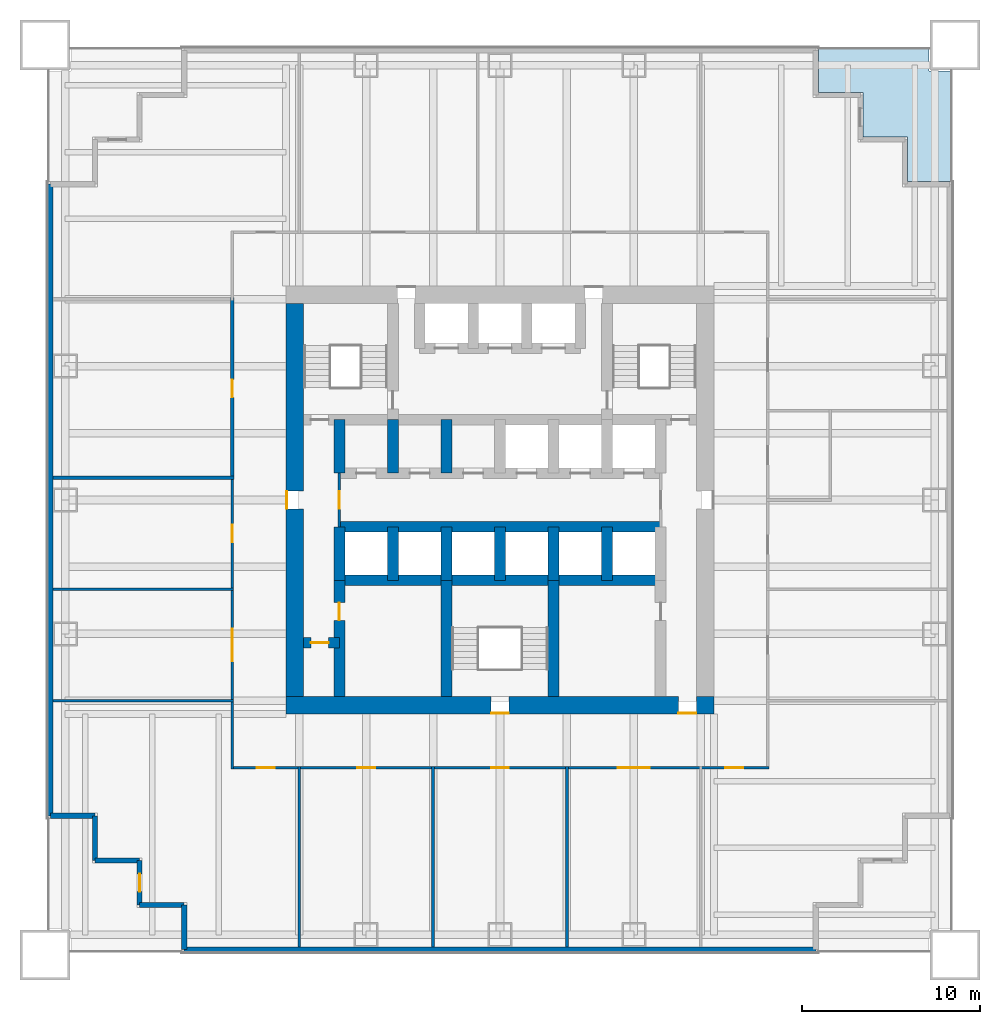
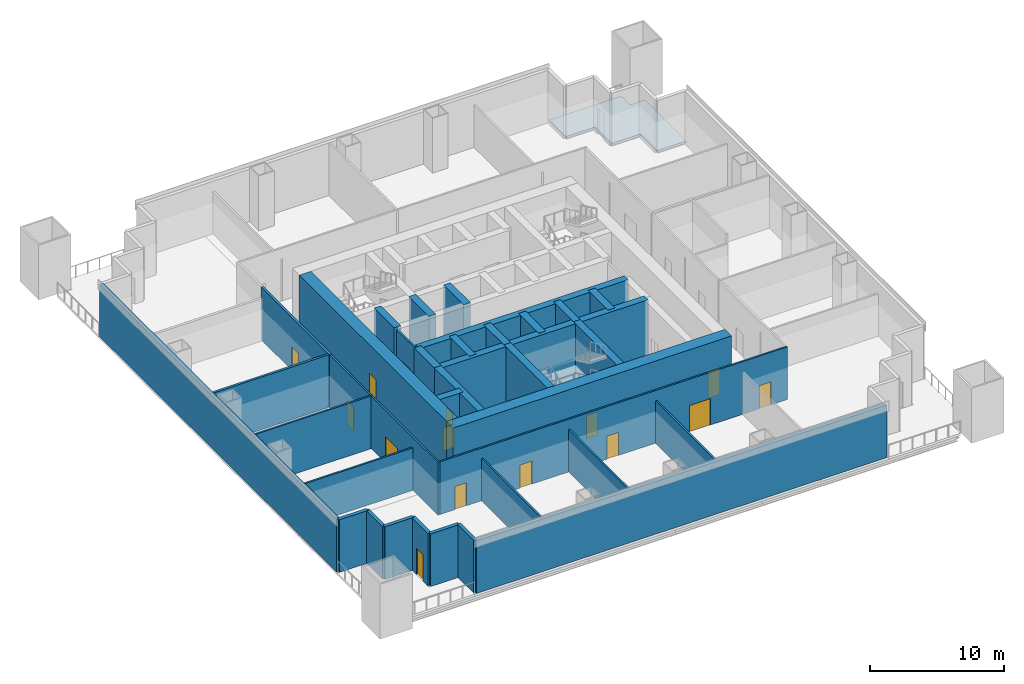
# One storey, part 2 of 6: 35 walls, 15 doors, 1 slab, 15 openings.
"""IFC4 building model written with IfcOpenShell, lengths in metres."""

from ifc_helpers import new_model, si_unit, direction, frame, frame_2d, origin, place, context, subcontext, project, spatial, polyline, rectangle, outline, extrude, material, layer, layer_set, type_object, element, fill, save


model = new_model("IFC4")

# Units and contexts
model_context = context("Model", 3, precision=1e-05, world=origin(), true_north=direction((0.0, 1.0)))
body_context = subcontext(model_context, "Body", "Model", "MODEL_VIEW")
ifc_project = project(units=[si_unit("LENGTHUNIT", "METRE"), si_unit("AREAUNIT", "SQUARE_METRE"), si_unit("VOLUMEUNIT", "CUBIC_METRE"), si_unit("PLANEANGLEUNIT", "RADIAN"), si_unit("MASSUNIT", "GRAM", prefix="KILO")], contexts=[model_context])

# Site, building, storey
site_placement = place(None, origin())
site = spatial("IfcSite", under=ifc_project, at=site_placement, CompositionType="ELEMENT")
building_placement = place(site_placement, origin())
building = spatial("IfcBuilding", under=site, at=building_placement, Name="Tarangal Relay Tower", CompositionType="ELEMENT")
storey_placement = place(building_placement, frame((0.0, 0.0, 88.39990234375)))
storey = spatial("IfcBuildingStorey", under=building, at=storey_placement, Name="L17", CompositionType="ELEMENT", Elevation=88.39990234375)

# Slab
ifc_material_1 = material(Name="Concrete fc' 35 MPa", Category="concrete")
ifc_layer_1 = layer(ifc_material_1, 0.199951171875)
ifc_layer_set_1 = layer_set([ifc_layer_1], Name="Terrace slab 200")
slab_type = type_object("IfcSlabType", Name="Terrace slab 200", PredefinedType="FLOOR", material=ifc_layer_set_1)
slab_placement = place(storey_placement, frame((0.0, 0.0, -0.199951171875)))
element("IfcSlab", 1, at=slab_placement, inside=storey, type_object=slab_type, Name="Corner terrace NE L17", PredefinedType="FLOOR", context=body_context, shape_type="SweptSolid", body=[
    extrude(outline(polyline([(17.85009765625, 25.35009765625), (17.85009765625, 22.85009765625), (20.35009765625, 22.85009765625), (20.35009765625, 20.35009765625), (22.85009765625, 20.35009765625), (22.85009765625, 17.85009765625), (25.35009765625, 17.85009765625), (25.35009765625, 24.050048828125), (24.050048828125, 24.050048828125), (24.050048828125, 25.35009765625), (17.85009765625, 25.35009765625)])), origin(), (0.0, 0.0, 1.0), 0.199951171875),
])

# Wall
ifc_material_2 = material(Name="Two layers gypsum board each side on twin steel studs, mineral wool", Category="steel")
ifc_layer_2 = layer(ifc_material_2, 0.199951171875)
ifc_layer_set_2 = layer_set([ifc_layer_2], Name="Acoustic partition 200")
wall_type_1 = type_object("IfcWallType", Name="Acoustic partition 200", PredefinedType="PARTITIONING", material=ifc_layer_set_2)
wall_1_placement = place(storey_placement, frame((-25.050048828125, 1.25, 0.0), z_axis=(0.0, 0.0, 1.0), x_axis=(1.0, 0.0, 0.0)))
element("IfcWall", 2, at=wall_1_placement, inside=storey, type_object=wall_type_1, Name="Partition PT2 L17", PredefinedType="PARTITIONING", context=body_context, shape_type="SweptSolid", body=[
    extrude(rectangle(XDim=10.150146484375, YDim=0.199951171875, at=frame_2d((5.0751953125, 0.0))), origin(), (0.0, 0.0, 1.0), 4.800048828125),
])

# Wall, opening, door
wall_2_placement = place(storey_placement, frame((-15.0, 1.14990234375, 0.0), z_axis=(0.0, 0.0, 1.0), x_axis=(0.0, 1.0, 0.0)))
wall_2 = element("IfcWall", 3, at=wall_2_placement, inside=storey, type_object=wall_type_1, Name="Partition PT2 L17", PredefinedType="PARTITIONING", context=body_context, shape_type="SweptSolid", body=[
    extrude(rectangle(XDim=10.2001953125, YDim=0.199951171875, at=frame_2d((5.10009765625, 0.0))), origin(), (0.0, 0.0, 1.0), 4.800048828125),
])
opening_1_placement = place(wall_2_placement, frame((4.60009765625, 0.0, 0.0)))
opening_1 = element("IfcOpeningElement", 4, at=opening_1_placement, cuts=wall_2, Name="Opening D2", PredefinedType="OPENING", context=body_context, shape_type="SweptSolid", body=[
    extrude(rectangle(XDim=1.0, YDim=2.10009765625, at=frame_2d((0.5, 1.050048828125))), frame((0.0, 0.10986328125, 0.0), z_axis=(0.0, -1.0, 0.0), x_axis=(1.0, 0.0, 0.0)), (0.0, 0.0, 1.0), 0.219970703125),
])
ifc_material_3 = material(Name="Hardwood door", Category="wood")
door_type_1 = type_object("IfcDoorType", Name="Door 1000 x 2100", OperationType="SINGLE_SWING_LEFT", PredefinedType="DOOR", material=ifc_material_3)
door_1_placement = place(opening_1_placement, origin())
door_1 = element("IfcDoor", 5, at=door_1_placement, inside=storey, type_object=door_type_1, Name="Door D2 to quiet room L17-13", OperationType="SINGLE_SWING_LEFT", OverallHeight=2.10009765625, OverallWidth=1.0, PredefinedType="DOOR", context=body_context, shape_type="SweptSolid", body=[
    extrude(rectangle(XDim=1.0, YDim=2.10009765625, at=frame_2d((0.5, 1.050048828125))), frame((0.0, 0.02490234375, 0.0), z_axis=(0.0, -1.0, 0.0), x_axis=(1.0, 0.0, 0.0)), (0.0, 0.0, 1.0), 0.050048828125),
])
fill(opening_1, door_1)

# Walls
ifc_material_4 = material(Name="Concrete fc' 60 MPa", Category="concrete")
ifc_layer_3 = layer(ifc_material_4, 0.60009765625)
ifc_layer_set_3 = layer_set([ifc_layer_3], Name="Core inner wall 600")
wall_type_2 = type_object("IfcWallType", Name="Core inner wall 600", PredefinedType="SHEAR", material=ifc_layer_set_3)
for number, where, z_axis, x_axis, name in (
    (6, (-9.0, -1.5, 0.0), (0.0, 0.0, 1.0), (1.0, 0.0, 0.0), "Core wall YM15 L17"),
    (7, (-9.0, -4.5, 0.0), (0.0, 0.0, 1.0), (1.0, 0.0, 0.0), "Core wall YM45 L17"),
):
    element("IfcWall", number, at=place(storey_placement, frame(where, z_axis=z_axis, x_axis=x_axis)), inside=storey, type_object=wall_type_2, Name=name, PredefinedType="SHEAR", context=body_context, shape_type="SweptSolid", body=[
        extrude(rectangle(XDim=18.0, YDim=0.60009765625, at=frame_2d((9.0, 0.0))), origin(), (0.0, 0.0, 1.0), 5.0),
    ])

# Wall, opening, door
wall_3_placement = place(storey_placement, frame((-11.0, -8.0, 0.0), z_axis=(0.0, 0.0, 1.0), x_axis=(1.0, 0.0, 0.0)))
wall_3 = element("IfcWall", 8, at=wall_3_placement, inside=storey, type_object=wall_type_2, Name="Core wall YM8 L17", PredefinedType="SHEAR", context=body_context, shape_type="SweptSolid", body=[
    extrude(rectangle(XDim=2.0, YDim=0.60009765625, at=frame_2d((1.0, 0.0))), origin(), (0.0, 0.0, 1.0), 5.0),
])
opening_2_placement = place(wall_3_placement, frame((0.39990234375, 0.0, 0.0)))
opening_2 = element("IfcOpeningElement", 9, at=opening_2_placement, cuts=wall_3, Name="Opening D1", PredefinedType="OPENING", context=body_context, shape_type="SweptSolid", body=[
    extrude(rectangle(XDim=1.0, YDim=2.10009765625, at=frame_2d((0.5, 1.050048828125))), frame((0.0, 0.31005859375, 0.0), z_axis=(0.0, -1.0, 0.0), x_axis=(1.0, 0.0, 0.0)), (0.0, 0.0, 1.0), 0.6201171875),
])
door_type_2 = type_object("IfcDoorType", Name="WC door 1000 x 2100", OperationType="SINGLE_SWING_LEFT", PredefinedType="DOOR", material=ifc_material_3)
door_2_placement = place(opening_2_placement, origin())
door_2 = element("IfcDoor", 10, at=door_2_placement, inside=storey, type_object=door_type_2, Name="Accessible WC door L17", OperationType="SINGLE_SWING_LEFT", OverallHeight=2.10009765625, OverallWidth=1.0, PredefinedType="DOOR", context=body_context, shape_type="SweptSolid", body=[
    extrude(rectangle(XDim=1.0, YDim=2.10009765625, at=frame_2d((0.5, 1.050048828125))), frame((0.0, 0.02490234375, 0.0), z_axis=(0.0, -1.0, 0.0), x_axis=(1.0, 0.0, 0.0)), (0.0, 0.0, 1.0), 0.050048828125),
])
fill(opening_2, door_2)

# Walls
for number, where, z_axis, x_axis, name in (
    (11, (-9.0, 1.5, 0.0), (0.0, 0.0, 1.0), (0.0, 1.0, 0.0), "Core wall XM9N L17"),
    (12, (-9.0, -4.5, 0.0), (0.0, 0.0, 1.0), (0.0, 1.0, 0.0), "Core wall XM9S L17"),
    (13, (-6.0, 1.5, 0.0), (0.0, 0.0, 1.0), (0.0, 1.0, 0.0), "Core wall XM6N L17"),
    (14, (-3.0, 1.5, 0.0), (0.0, 0.0, 1.0), (0.0, 1.0, 0.0), "Core wall XM3N L17"),
    (15, (-6.0, -4.5, 0.0), (0.0, 0.0, 1.0), (0.0, 1.0, 0.0), "Core wall XM6S L17"),
    (16, (-3.0, -4.5, 0.0), (0.0, 0.0, 1.0), (0.0, 1.0, 0.0), "Core wall XM3S L17"),
    (17, (0.0, -4.5, 0.0), (0.0, 0.0, 1.0), (0.0, 1.0, 0.0), "Core wall X0S L17"),
    (18, (3.0, -4.5, 0.0), (0.0, 0.0, 1.0), (0.0, 1.0, 0.0), "Core wall X3S L17"),
    (19, (6.0, -4.5, 0.0), (0.0, 0.0, 1.0), (0.0, 1.0, 0.0), "Core wall X6S L17"),
):
    element("IfcWall", number, at=place(storey_placement, frame(where, z_axis=z_axis, x_axis=x_axis)), inside=storey, type_object=wall_type_2, Name=name, PredefinedType="SHEAR", context=body_context, shape_type="SweptSolid", body=[
        extrude(rectangle(XDim=3.0, YDim=0.60009765625, at=frame_2d((1.5, 0.0))), origin(), (0.0, 0.0, 1.0), 5.0),
    ])

# Wall, opening, door
wall_4_placement = place(storey_placement, frame((-9.0, -11.0, 0.0), z_axis=(0.0, 0.0, 1.0), x_axis=(0.0, 1.0, 0.0)))
wall_4 = element("IfcWall", 20, at=wall_4_placement, inside=storey, type_object=wall_type_2, Name="Core wall XM9W L17", PredefinedType="SHEAR", context=body_context, shape_type="SweptSolid", body=[
    extrude(rectangle(XDim=6.5, YDim=0.60009765625, at=frame_2d((3.25, 0.0))), origin(), (0.0, 0.0, 1.0), 5.0),
])
opening_3_placement = place(wall_4_placement, frame((4.25, 0.0, 0.0)))
opening_3 = element("IfcOpeningElement", 21, at=opening_3_placement, cuts=wall_4, Name="Opening D1", PredefinedType="OPENING", context=body_context, shape_type="SweptSolid", body=[
    extrude(rectangle(XDim=1.0, YDim=2.10009765625, at=frame_2d((0.5, 1.050048828125))), frame((0.0, 0.31005859375, 0.0), z_axis=(0.0, -1.0, 0.0), x_axis=(1.0, 0.0, 0.0)), (0.0, 0.0, 1.0), 0.6201171875),
])
door_3_placement = place(opening_3_placement, origin())
door_3 = element("IfcDoor", 22, at=door_3_placement, inside=storey, type_object=door_type_2, Name="Male WC door L17", OperationType="SINGLE_SWING_LEFT", OverallHeight=2.10009765625, OverallWidth=1.0, PredefinedType="DOOR", context=body_context, shape_type="SweptSolid", body=[
    extrude(rectangle(XDim=1.0, YDim=2.10009765625, at=frame_2d((0.5, 1.050048828125))), frame((0.0, 0.02490234375, 0.0), z_axis=(0.0, -1.0, 0.0), x_axis=(1.0, 0.0, 0.0)), (0.0, 0.0, 1.0), 0.050048828125),
])
fill(opening_3, door_3)

# Walls
for number, where, z_axis, x_axis, name in (
    (23, (-3.0, -11.0, 0.0), (0.0, 0.0, 1.0), (0.0, 1.0, 0.0), "Core wall XM3W L17"),
    (24, (3.0, -11.0, 0.0), (0.0, 0.0, 1.0), (0.0, 1.0, 0.0), "Core wall X3W L17"),
):
    element("IfcWall", number, at=place(storey_placement, frame(where, z_axis=z_axis, x_axis=x_axis)), inside=storey, type_object=wall_type_2, Name=name, PredefinedType="SHEAR", context=body_context, shape_type="SweptSolid", body=[
        extrude(rectangle(XDim=6.5, YDim=0.60009765625, at=frame_2d((3.25, 0.0))), origin(), (0.0, 0.0, 1.0), 5.0),
    ])

# Wall, openings, doors
ifc_layer_4 = layer(ifc_material_4, 1.0)
ifc_layer_set_4 = layer_set([ifc_layer_4], Name="Core wall 1000")
wall_type_3 = type_object("IfcWallType", Name="Core wall 1000", PredefinedType="SHEAR", material=ifc_layer_set_4)
wall_5_placement = place(storey_placement, frame((12.0, -11.5, 0.0), z_axis=(0.0, 0.0, 1.0), x_axis=(-1.0, 0.0, 0.0)))
wall_5 = element("IfcWall", 25, at=wall_5_placement, inside=storey, type_object=wall_type_3, Name="Core wall S L17", PredefinedType="SHEAR", context=body_context, shape_type="SweptSolid", body=[
    extrude(rectangle(XDim=24.0, YDim=1.0, at=frame_2d((12.0, 0.0))), origin(), (0.0, 0.0, 1.0), 5.0),
])
opening_4_placement = place(wall_5_placement, frame((11.5, 0.0, 0.0)))
opening_4 = element("IfcOpeningElement", 26, at=opening_4_placement, cuts=wall_5, Name="Opening FD1", PredefinedType="OPENING", context=body_context, shape_type="SweptSolid", body=[
    extrude(rectangle(XDim=1.0, YDim=2.10009765625, at=frame_2d((0.5, 1.050048828125))), frame((0.0, 0.510009765625, 0.0), z_axis=(0.0, -1.0, 0.0), x_axis=(1.0, 0.0, 0.0)), (0.0, 0.0, 1.0), 1.02001953125),
])
opening_5_placement = place(wall_5_placement, frame((1.0, 0.0, 0.0)))
opening_5 = element("IfcOpeningElement", 27, at=opening_5_placement, cuts=wall_5, Name="Opening FD3", PredefinedType="OPENING", context=body_context, shape_type="SweptSolid", body=[
    extrude(rectangle(XDim=1.0, YDim=2.39990234375, at=frame_2d((0.5, 1.199951171875))), frame((0.0, 0.510009765625, 0.0), z_axis=(0.0, -1.0, 0.0), x_axis=(1.0, 0.0, 0.0)), (0.0, 0.0, 1.0), 1.02001953125),
])
ifc_material_5 = material(Name="Steel door with hardwood frame", Category="steel")
door_type_3 = type_object("IfcDoorType", Name="Fire door 1000 x 2100", OperationType="SINGLE_SWING_LEFT", PredefinedType="DOOR", material=ifc_material_5)
door_4_placement = place(opening_4_placement, origin())
door_4 = element("IfcDoor", 28, at=door_4_placement, inside=storey, type_object=door_type_3, Name="Stair ST-C door L17", OperationType="SINGLE_SWING_LEFT", OverallHeight=2.10009765625, OverallWidth=1.0, PredefinedType="DOOR", context=body_context, shape_type="SweptSolid", body=[
    extrude(rectangle(XDim=1.0, YDim=2.10009765625, at=frame_2d((0.5, 1.050048828125))), frame((0.0, 0.48486328125, 0.0), z_axis=(0.0, -1.0, 0.0), x_axis=(1.0, 0.0, 0.0)), (0.0, 0.0, 1.0), 0.050048828125),
])
fill(opening_4, door_4)
door_type_4 = type_object("IfcDoorType", Name="Fire door 1000 x 2400 core entry", OperationType="SINGLE_SWING_RIGHT", PredefinedType="DOOR", material=ifc_material_5)
door_5_placement = place(opening_5_placement, origin())
door_5 = element("IfcDoor", 29, at=door_5_placement, inside=storey, type_object=door_type_4, Name="Core entry door south east L17", OperationType="SINGLE_SWING_RIGHT", OverallHeight=2.39990234375, OverallWidth=1.0, PredefinedType="DOOR", context=body_context, shape_type="SweptSolid", body=[
    extrude(rectangle(XDim=1.0, YDim=2.39990234375, at=frame_2d((0.5, 1.199951171875))), frame((0.0, 0.48486328125, 0.0), z_axis=(0.0, -1.0, 0.0), x_axis=(1.0, 0.0, 0.0)), (0.0, 0.0, 1.0), 0.050048828125),
])
fill(opening_5, door_5)

# Wall, opening, door
wall_6_placement = place(storey_placement, frame((-11.5, -11.0, 0.0), z_axis=(0.0, 0.0, 1.0), x_axis=(0.0, 1.0, 0.0)))
wall_6 = element("IfcWall", 30, at=wall_6_placement, inside=storey, type_object=wall_type_3, Name="Core wall W L17", PredefinedType="SHEAR", context=body_context, shape_type="SweptSolid", body=[
    extrude(rectangle(XDim=22.0, YDim=1.0, at=frame_2d((11.0, 0.0))), origin(), (0.0, 0.0, 1.0), 5.0),
])
opening_6_placement = place(wall_6_placement, frame((10.5, 0.0, 0.0)))
opening_6 = element("IfcOpeningElement", 31, at=opening_6_placement, cuts=wall_6, Name="Opening FD3", PredefinedType="OPENING", context=body_context, shape_type="SweptSolid", body=[
    extrude(rectangle(XDim=1.0, YDim=2.39990234375, at=frame_2d((0.5, 1.199951171875))), frame((0.0, 0.510009765625, 0.0), z_axis=(0.0, -1.0, 0.0), x_axis=(1.0, 0.0, 0.0)), (0.0, 0.0, 1.0), 1.02001953125),
])
door_6_placement = place(opening_6_placement, origin())
door_6 = element("IfcDoor", 32, at=door_6_placement, inside=storey, type_object=door_type_4, Name="Core entry door west L17", OperationType="SINGLE_SWING_RIGHT", OverallHeight=2.39990234375, OverallWidth=1.0, PredefinedType="DOOR", context=body_context, shape_type="SweptSolid", body=[
    extrude(rectangle(XDim=1.0, YDim=2.39990234375, at=frame_2d((0.5, 1.199951171875))), frame((0.0, 0.48486328125, 0.0), z_axis=(0.0, -1.0, 0.0), x_axis=(1.0, 0.0, 0.0)), (0.0, 0.0, 1.0), 0.050048828125),
])
fill(opening_6, door_6)

# Walls
ifc_material_6 = material(Name="Insulated precast concrete fc' 40 MPa", Category="concrete")
ifc_layer_5 = layer(ifc_material_6, 0.300048828125)
ifc_layer_set_5 = layer_set([ifc_layer_5], Name="Insulated precast concrete fc' 40 MPa")
wall_type_4 = type_object("IfcWallType", Name="Facade wall precast 300", PredefinedType="SOLIDWALL", material=ifc_layer_set_5)
wall_7_placement = place(storey_placement, frame((17.699951171875, -25.199951171875, 0.0), z_axis=(0.0, 0.0, 1.0), x_axis=(-1.0, 0.0, 0.0)))
element("IfcWall", 33, at=wall_7_placement, inside=storey, type_object=wall_type_4, Name="Facade wall S facade L17", PredefinedType="SOLIDWALL", context=body_context, shape_type="SweptSolid", body=[
    extrude(rectangle(XDim=35.39990234375, YDim=0.300048828125, at=frame_2d((17.699951171875, 0.0))), origin(), (0.0, 0.0, 1.0), 4.800048828125),
])
for number, where, z_axis, x_axis, name in (
    (34, (-17.699951171875, -25.199951171875, 0.0), (0.0, 0.0, 1.0), (0.0, 1.0, 0.0), "Facade wall S facade L17"),
    (35, (-17.699951171875, -22.699951171875, 0.0), (0.0, 0.0, 1.0), (-1.0, 0.0, 0.0), "Facade wall S facade L17"),
):
    element("IfcWall", number, at=place(storey_placement, frame(where, z_axis=z_axis, x_axis=x_axis)), inside=storey, type_object=wall_type_4, Name=name, PredefinedType="SOLIDWALL", context=body_context, shape_type="SweptSolid", body=[
        extrude(rectangle(XDim=2.5, YDim=0.300048828125, at=frame_2d((1.25, 0.0))), origin(), (0.0, 0.0, 1.0), 4.800048828125),
    ])

# Wall, opening, door
wall_8_placement = place(storey_placement, frame((-20.199951171875, -22.699951171875, 0.0), z_axis=(0.0, 0.0, 1.0), x_axis=(0.0, 1.0, 0.0)))
wall_8 = element("IfcWall", 36, at=wall_8_placement, inside=storey, type_object=wall_type_4, Name="Facade wall S facade L17", PredefinedType="SOLIDWALL", context=body_context, shape_type="SweptSolid", body=[
    extrude(rectangle(XDim=2.5, YDim=0.300048828125, at=frame_2d((1.25, 0.0))), origin(), (0.0, 0.0, 1.0), 4.800048828125),
])
opening_7_placement = place(wall_8_placement, frame((0.75, 0.0, 0.0)))
opening_7 = element("IfcOpeningElement", 37, at=opening_7_placement, cuts=wall_8, Name="Opening TD1", PredefinedType="OPENING", context=body_context, shape_type="SweptSolid", body=[
    extrude(rectangle(XDim=1.0, YDim=2.39990234375, at=frame_2d((0.5, 1.199951171875))), frame((0.0, 0.159912109375, 0.0), z_axis=(0.0, -1.0, 0.0), x_axis=(1.0, 0.0, 0.0)), (0.0, 0.0, 1.0), 0.320068359375),
])
ifc_material_7 = material(Name="Aluminium glazed door", Category="aluminium")
door_type_5 = type_object("IfcDoorType", Name="Terrace door 1000 x 2400", OperationType="SINGLE_SWING_RIGHT", PredefinedType="DOOR", material=ifc_material_7)
door_7_placement = place(opening_7_placement, origin())
door_7 = element("IfcDoor", 38, at=door_7_placement, inside=storey, type_object=door_type_5, Name="Terrace door TD1 SW L17", OperationType="SINGLE_SWING_RIGHT", OverallHeight=2.39990234375, OverallWidth=1.0, PredefinedType="DOOR", context=body_context, shape_type="SweptSolid", body=[
    extrude(rectangle(XDim=1.0, YDim=2.39990234375, at=frame_2d((0.5, 1.199951171875))), frame((0.0, 0.02490234375, 0.0), z_axis=(0.0, -1.0, 0.0), x_axis=(1.0, 0.0, 0.0)), (0.0, 0.0, 1.0), 0.050048828125),
])
fill(opening_7, door_7)

# Walls
for number, where, z_axis, x_axis, name in (
    (39, (-20.199951171875, -20.199951171875, 0.0), (0.0, 0.0, 1.0), (-1.0, 0.0, 0.0), "Facade wall S facade L17"),
    (40, (-22.699951171875, -20.199951171875, 0.0), (0.0, 0.0, 1.0), (0.0, 1.0, 0.0), "Facade wall S facade L17"),
    (41, (-22.699951171875, -17.699951171875, 0.0), (0.0, 0.0, 1.0), (-1.0, 0.0, 0.0), "Facade wall S facade L17"),
):
    element("IfcWall", number, at=place(storey_placement, frame(where, z_axis=z_axis, x_axis=x_axis)), inside=storey, type_object=wall_type_4, Name=name, PredefinedType="SOLIDWALL", context=body_context, shape_type="SweptSolid", body=[
        extrude(rectangle(XDim=2.5, YDim=0.300048828125, at=frame_2d((1.25, 0.0))), origin(), (0.0, 0.0, 1.0), 4.800048828125),
    ])
wall_9_placement = place(storey_placement, frame((-25.199951171875, -17.699951171875, 0.0), z_axis=(0.0, 0.0, 1.0), x_axis=(0.0, 1.0, 0.0)))
element("IfcWall", 42, at=wall_9_placement, inside=storey, type_object=wall_type_4, Name="Facade wall W facade L17", PredefinedType="SOLIDWALL", context=body_context, shape_type="SweptSolid", body=[
    extrude(rectangle(XDim=35.39990234375, YDim=0.300048828125, at=frame_2d((17.699951171875, 0.0))), origin(), (0.0, 0.0, 1.0), 4.800048828125),
])

# Wall, openings, doors
ifc_material_8 = material(Name="Gypsum board on steel studs", Category="steel")
ifc_layer_6 = layer(ifc_material_8, 0.14990234375)
ifc_layer_set_6 = layer_set([ifc_layer_6], Name="Partition 150")
wall_type_5 = type_object("IfcWallType", Name="Partition 150", PredefinedType="PARTITIONING", material=ifc_layer_set_6)
wall_10_placement = place(storey_placement, frame((-15.074951171875, -15.0, 0.0), z_axis=(0.0, 0.0, 1.0), x_axis=(1.0, 0.0, 0.0)))
wall_10 = element("IfcWall", 43, at=wall_10_placement, inside=storey, type_object=wall_type_5, Name="Partition PT1 L17", PredefinedType="PARTITIONING", context=body_context, shape_type="SweptSolid", body=[
    extrude(rectangle(XDim=30.14990234375, YDim=0.14990234375, at=frame_2d((15.074951171875, 0.0))), origin(), (0.0, 0.0, 1.0), 4.800048828125),
])
opening_8_placement = place(wall_10_placement, frame((21.675048828125, 0.0, 0.0)))
opening_8 = element("IfcOpeningElement", 44, at=opening_8_placement, cuts=wall_10, Name="Opening DD1", PredefinedType="OPENING", context=body_context, shape_type="SweptSolid", body=[
    extrude(rectangle(XDim=1.800048828125, YDim=2.39990234375, at=frame_2d((0.89990234375, 1.199951171875))), frame((0.0, 0.0849609375, 0.0), z_axis=(0.0, -1.0, 0.0), x_axis=(1.0, 0.0, 0.0)), (0.0, 0.0, 1.0), 0.169921875),
])
opening_9_placement = place(wall_10_placement, frame((14.574951171875, 0.0, 0.0)))
opening_9 = element("IfcOpeningElement", 45, at=opening_9_placement, cuts=wall_10, Name="Opening D2", PredefinedType="OPENING", context=body_context, shape_type="SweptSolid", body=[
    extrude(rectangle(XDim=1.0, YDim=2.10009765625, at=frame_2d((0.5, 1.050048828125))), frame((0.0, 0.0849609375, 0.0), z_axis=(0.0, -1.0, 0.0), x_axis=(1.0, 0.0, 0.0)), (0.0, 0.0, 1.0), 0.169921875),
])
opening_10_placement = place(wall_10_placement, frame((7.074951171875, 0.0, 0.0)))
opening_10 = element("IfcOpeningElement", 46, at=opening_10_placement, cuts=wall_10, Name="Opening D2", PredefinedType="OPENING", context=body_context, shape_type="SweptSolid", body=[
    extrude(rectangle(XDim=1.0, YDim=2.10009765625, at=frame_2d((0.5, 1.050048828125))), frame((0.0, 0.0849609375, 0.0), z_axis=(0.0, -1.0, 0.0), x_axis=(1.0, 0.0, 0.0)), (0.0, 0.0, 1.0), 0.169921875),
])
opening_11_placement = place(wall_10_placement, frame((27.699951171875, 0.0, 0.0)))
opening_11 = element("IfcOpeningElement", 47, at=opening_11_placement, cuts=wall_10, Name="Opening D2", PredefinedType="OPENING", context=body_context, shape_type="SweptSolid", body=[
    extrude(rectangle(XDim=1.0, YDim=2.10009765625, at=frame_2d((0.5, 1.050048828125))), frame((0.0, 0.0849609375, 0.0), z_axis=(0.0, -1.0, 0.0), x_axis=(1.0, 0.0, 0.0)), (0.0, 0.0, 1.0), 0.169921875),
])
opening_12_placement = place(wall_10_placement, frame((1.449951171875, 0.0, 0.0)))
opening_12 = element("IfcOpeningElement", 48, at=opening_12_placement, cuts=wall_10, Name="Opening D2", PredefinedType="OPENING", context=body_context, shape_type="SweptSolid", body=[
    extrude(rectangle(XDim=1.0, YDim=2.10009765625, at=frame_2d((0.5, 1.050048828125))), frame((0.0, 0.0849609375, 0.0), z_axis=(0.0, -1.0, 0.0), x_axis=(1.0, 0.0, 0.0)), (0.0, 0.0, 1.0), 0.169921875),
])
door_8_placement = place(opening_9_placement, origin())
door_8 = element("IfcDoor", 49, at=door_8_placement, inside=storey, type_object=door_type_1, Name="Door D2 to tape library room L17-09", OperationType="SINGLE_SWING_LEFT", OverallHeight=2.10009765625, OverallWidth=1.0, PredefinedType="DOOR", context=body_context, shape_type="SweptSolid", body=[
    extrude(rectangle(XDim=1.0, YDim=2.10009765625, at=frame_2d((0.5, 1.050048828125))), frame((0.0, 0.02490234375, 0.0), z_axis=(0.0, -1.0, 0.0), x_axis=(1.0, 0.0, 0.0)), (0.0, 0.0, 1.0), 0.050048828125),
])
fill(opening_9, door_8)
door_9_placement = place(opening_10_placement, origin())
door_9 = element("IfcDoor", 50, at=door_9_placement, inside=storey, type_object=door_type_1, Name="Door D2 to customer build and test room L17-10", OperationType="SINGLE_SWING_LEFT", OverallHeight=2.10009765625, OverallWidth=1.0, PredefinedType="DOOR", context=body_context, shape_type="SweptSolid", body=[
    extrude(rectangle(XDim=1.0, YDim=2.10009765625, at=frame_2d((0.5, 1.050048828125))), frame((0.0, 0.02490234375, 0.0), z_axis=(0.0, -1.0, 0.0), x_axis=(1.0, 0.0, 0.0)), (0.0, 0.0, 1.0), 0.050048828125),
])
fill(opening_10, door_9)
door_10_placement = place(opening_11_placement, origin())
door_10 = element("IfcDoor", 51, at=door_10_placement, inside=storey, type_object=door_type_1, Name="Door D2 to customer office L17-15", OperationType="SINGLE_SWING_LEFT", OverallHeight=2.10009765625, OverallWidth=1.0, PredefinedType="DOOR", context=body_context, shape_type="SweptSolid", body=[
    extrude(rectangle(XDim=1.0, YDim=2.10009765625, at=frame_2d((0.5, 1.050048828125))), frame((0.0, 0.02490234375, 0.0), z_axis=(0.0, -1.0, 0.0), x_axis=(1.0, 0.0, 0.0)), (0.0, 0.0, 1.0), 0.050048828125),
])
fill(opening_11, door_10)
door_11_placement = place(opening_12_placement, origin())
door_11 = element("IfcDoor", 52, at=door_11_placement, inside=storey, type_object=door_type_1, Name="Door D2 to security office L17-16", OperationType="SINGLE_SWING_LEFT", OverallHeight=2.10009765625, OverallWidth=1.0, PredefinedType="DOOR", context=body_context, shape_type="SweptSolid", body=[
    extrude(rectangle(XDim=1.0, YDim=2.10009765625, at=frame_2d((0.5, 1.050048828125))), frame((0.0, 0.02490234375, 0.0), z_axis=(0.0, -1.0, 0.0), x_axis=(1.0, 0.0, 0.0)), (0.0, 0.0, 1.0), 0.050048828125),
])
fill(opening_12, door_11)
door_type_6 = type_object("IfcDoorType", Name="Equipment double door 1800 x 2400", OperationType="DOUBLE_DOOR_SINGLE_SWING", PredefinedType="DOOR", material=ifc_material_5)
door_12_placement = place(opening_8_placement, origin())
door_12 = element("IfcDoor", 53, at=door_12_placement, inside=storey, type_object=door_type_6, Name="Door DD1 to electrical room L17-08", OperationType="DOUBLE_DOOR_SINGLE_SWING", OverallHeight=2.39990234375, OverallWidth=1.800048828125, PredefinedType="DOOR", context=body_context, shape_type="SweptSolid", body=[
    extrude(rectangle(XDim=1.800048828125, YDim=2.39990234375, at=frame_2d((0.89990234375, 1.199951171875))), frame((0.0, 0.02490234375, 0.0), z_axis=(0.0, -1.0, 0.0), x_axis=(1.0, 0.0, 0.0)), (0.0, 0.0, 1.0), 0.050048828125),
])
fill(opening_8, door_12)

# Walls
wall_11_placement = place(storey_placement, frame((-25.050048828125, -11.25, 0.0), z_axis=(0.0, 0.0, 1.0), x_axis=(1.0, 0.0, 0.0)))
element("IfcWall", 54, at=wall_11_placement, inside=storey, type_object=wall_type_5, Name="Partition PT1 L17", PredefinedType="PARTITIONING", context=body_context, shape_type="SweptSolid", body=[
    extrude(rectangle(XDim=10.125, YDim=0.14990234375, at=frame_2d((5.0625, 0.0))), origin(), (0.0, 0.0, 1.0), 3.852783203125),
])
wall_12_placement = place(storey_placement, frame((-25.050048828125, -5.0, 0.0), z_axis=(0.0, 0.0, 1.0), x_axis=(1.0, 0.0, 0.0)))
element("IfcWall", 55, at=wall_12_placement, inside=storey, type_object=wall_type_5, Name="Partition PT1 L17", PredefinedType="PARTITIONING", context=body_context, shape_type="SweptSolid", body=[
    extrude(rectangle(XDim=10.125, YDim=0.14990234375, at=frame_2d((5.0625, 0.0))), origin(), (0.0, 0.0, 1.0), 4.800048828125),
])

# Wall, openings, doors
wall_13_placement = place(storey_placement, frame((-15.0, -15.074951171875, 0.0), z_axis=(0.0, 0.0, 1.0), x_axis=(0.0, 1.0, 0.0)))
wall_13 = element("IfcWall", 56, at=wall_13_placement, inside=storey, type_object=wall_type_5, Name="Partition PT1 L17", PredefinedType="PARTITIONING", context=body_context, shape_type="SweptSolid", body=[
    extrude(rectangle(XDim=16.39990234375, YDim=0.14990234375, at=frame_2d((8.199951171875, 0.0))), origin(), (0.0, 0.0, 1.0), 4.800048828125),
])
opening_13_placement = place(wall_13_placement, frame((6.050048828125, 0.0, 0.0)))
opening_13 = element("IfcOpeningElement", 57, at=opening_13_placement, cuts=wall_13, Name="Opening DD1", PredefinedType="OPENING", context=body_context, shape_type="SweptSolid", body=[
    extrude(rectangle(XDim=1.800048828125, YDim=2.39990234375, at=frame_2d((0.89990234375, 1.199951171875))), frame((0.0, 0.0849609375, 0.0), z_axis=(0.0, -1.0, 0.0), x_axis=(1.0, 0.0, 0.0)), (0.0, 0.0, 1.0), 0.169921875),
])
opening_14_placement = place(wall_13_placement, frame((12.699951171875, 0.0, 0.0)))
opening_14 = element("IfcOpeningElement", 58, at=opening_14_placement, cuts=wall_13, Name="Opening D2", PredefinedType="OPENING", context=body_context, shape_type="SweptSolid", body=[
    extrude(rectangle(XDim=1.0, YDim=2.10009765625, at=frame_2d((0.5, 1.050048828125))), frame((0.0, 0.0849609375, 0.0), z_axis=(0.0, -1.0, 0.0), x_axis=(1.0, 0.0, 0.0)), (0.0, 0.0, 1.0), 0.169921875),
])
door_13_placement = place(opening_14_placement, origin())
door_13 = element("IfcDoor", 59, at=door_13_placement, inside=storey, type_object=door_type_1, Name="Door D2 to engineering office L17-12", OperationType="SINGLE_SWING_LEFT", OverallHeight=2.10009765625, OverallWidth=1.0, PredefinedType="DOOR", context=body_context, shape_type="SweptSolid", body=[
    extrude(rectangle(XDim=1.0, YDim=2.10009765625, at=frame_2d((0.5, 1.050048828125))), frame((0.0, 0.02490234375, 0.0), z_axis=(0.0, -1.0, 0.0), x_axis=(1.0, 0.0, 0.0)), (0.0, 0.0, 1.0), 0.050048828125),
])
fill(opening_14, door_13)
door_14_placement = place(opening_13_placement, origin())
door_14 = element("IfcDoor", 60, at=door_14_placement, inside=storey, type_object=door_type_6, Name="Door DD1 to gas suppression cylinder room L17-11", OperationType="DOUBLE_DOOR_SINGLE_SWING", OverallHeight=2.39990234375, OverallWidth=1.800048828125, PredefinedType="DOOR", context=body_context, shape_type="SweptSolid", body=[
    extrude(rectangle(XDim=1.800048828125, YDim=2.39990234375, at=frame_2d((0.89990234375, 1.199951171875))), frame((0.0, 0.02490234375, 0.0), z_axis=(0.0, -1.0, 0.0), x_axis=(1.0, 0.0, 0.0)), (0.0, 0.0, 1.0), 0.050048828125),
])
fill(opening_13, door_14)

# Walls
for number, where, z_axis, x_axis, name in (
    (61, (-11.25, -25.050048828125, 0.0), (0.0, 0.0, 1.0), (0.0, 1.0, 0.0), "Partition PT1 L17"),
    (62, (-3.75, -25.050048828125, 0.0), (0.0, 0.0, 1.0), (0.0, 1.0, 0.0), "Partition PT1 L17"),
    (63, (3.75, -25.050048828125, 0.0), (0.0, 0.0, 1.0), (0.0, 1.0, 0.0), "Partition PT1 L17"),
):
    element("IfcWall", number, at=place(storey_placement, frame(where, z_axis=z_axis, x_axis=x_axis)), inside=storey, type_object=wall_type_5, Name=name, PredefinedType="PARTITIONING", context=body_context, shape_type="SweptSolid", body=[
        extrude(rectangle(XDim=10.125, YDim=0.14990234375, at=frame_2d((5.0625, 0.0))), origin(), (0.0, 0.0, 1.0), 3.852783203125),
    ])

# Wall, opening, door
wall_14_placement = place(storey_placement, frame((-9.0, -1.5, 0.0), z_axis=(0.0, 0.0, 1.0), x_axis=(0.0, 1.0, 0.0)))
wall_14 = element("IfcWall", 64, at=wall_14_placement, inside=storey, type_object=wall_type_5, Name="Partition PT1 L17", PredefinedType="PARTITIONING", context=body_context, shape_type="SweptSolid", body=[
    extrude(rectangle(XDim=3.0, YDim=0.14990234375, at=frame_2d((1.5, 0.0))), origin(), (0.0, 0.0, 1.0), 4.75),
])
opening_15_placement = place(wall_14_placement, frame((1.0, 0.0, 0.0)))
opening_15 = element("IfcOpeningElement", 65, at=opening_15_placement, cuts=wall_14, Name="Opening FD3", PredefinedType="OPENING", context=body_context, shape_type="SweptSolid", body=[
    extrude(rectangle(XDim=1.0, YDim=2.39990234375, at=frame_2d((0.5, 1.199951171875))), frame((0.0, 0.0849609375, 0.0), z_axis=(0.0, -1.0, 0.0), x_axis=(1.0, 0.0, 0.0)), (0.0, 0.0, 1.0), 0.169921875),
])
door_15_placement = place(opening_15_placement, origin())
door_15 = element("IfcDoor", 66, at=door_15_placement, inside=storey, type_object=door_type_4, Name="Lift lobby door FD3 to the west corridor L17", OperationType="SINGLE_SWING_RIGHT", OverallHeight=2.39990234375, OverallWidth=1.0, PredefinedType="DOOR", context=body_context, shape_type="SweptSolid", body=[
    extrude(rectangle(XDim=1.0, YDim=2.39990234375, at=frame_2d((0.5, 1.199951171875))), frame((0.0, 0.02490234375, 0.0), z_axis=(0.0, -1.0, 0.0), x_axis=(1.0, 0.0, 0.0)), (0.0, 0.0, 1.0), 0.050048828125),
])
fill(opening_15, door_15)

save(model, "model.ifc")
